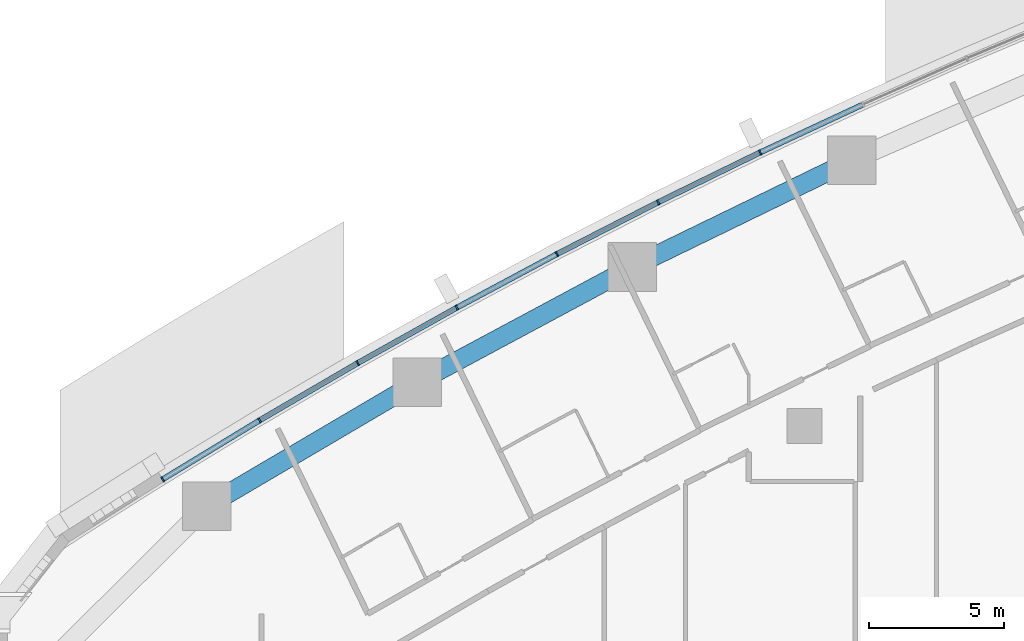
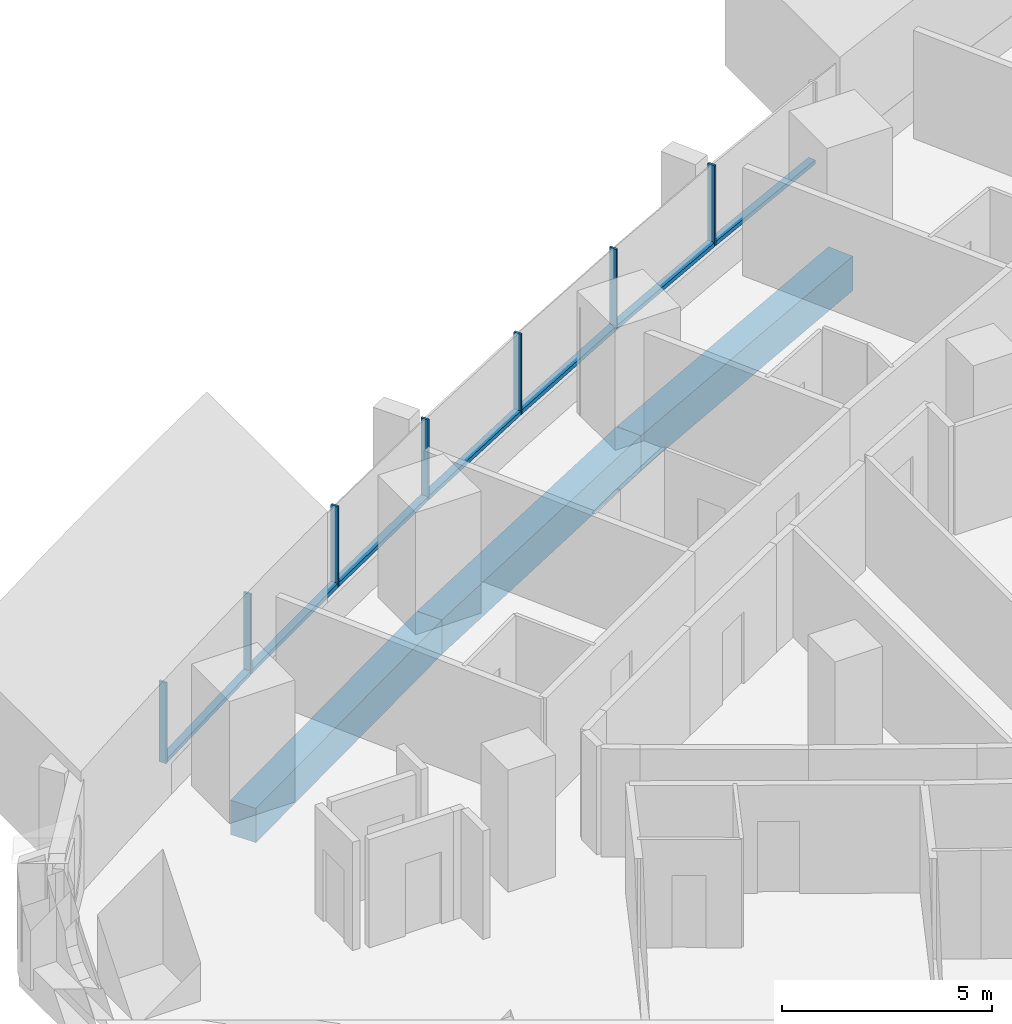
# One storey, part 5 of 19: 14 members, 3 beams, 3 elements without a shape of their own.
"""IFC4 building model written with IfcOpenShell, lengths in metres."""

from ifc_helpers import new_model, si_unit, direction, frame, origin, origin_2d, place, context, subcontext, project, spatial, rectangle, extrude, material, layer, layer_set, material_profile, profile_set, type_object, element, aggregate, save


model = new_model("IFC4")

# Units and contexts
model_context = context("Model", 3, precision=1e-05, world=origin(), true_north=direction((0.0, 1.0)))
body_context = subcontext(model_context, "Body", "Model", "MODEL_VIEW")
ifc_project = project(units=[si_unit("LENGTHUNIT", "METRE"), si_unit("AREAUNIT", "SQUARE_METRE"), si_unit("VOLUMEUNIT", "CUBIC_METRE"), si_unit("PLANEANGLEUNIT", "RADIAN"), si_unit("MASSUNIT", "GRAM", prefix="KILO")], contexts=[model_context])

# Site, building, storey
site_placement = place(None, origin())
site = spatial("IfcSite", under=ifc_project, at=site_placement, CompositionType="ELEMENT")
building_placement = place(site_placement, origin())
building = spatial("IfcBuilding", under=site, at=building_placement, Name="Ostrand Prow Hotel Tower", CompositionType="ELEMENT")
storey_placement = place(building_placement, frame((0.0, 0.0, 71.550048828125)))
storey = spatial("IfcBuildingStorey", under=building, at=storey_placement, Name="L16", CompositionType="ELEMENT", Elevation=71.550048828125)

# Beams
ifc_material_1 = material(Name="Concrete C80/95", Category="concrete")
ifc_material_profile_1 = material_profile(ifc_material_1, rectangle(XDim=0.699951171875, YDim=1.0, at=origin_2d()), Name="RC 700x1000")
ifc_profile_set_1 = profile_set([ifc_material_profile_1], Name="Concrete C80/95")
beam_type = type_object("IfcBeamType", Name="Edge beam 700x1000 C80/95", PredefinedType="SPANDREL", material=ifc_profile_set_1)
beam_1_placement = place(storey_placement, frame((35.7412109375, 18.814208984375, -0.800048828125), z_axis=(-0.899382499202, -0.437162578601, 0.0), x_axis=(0.437162578601, -0.899382499202, 0.0)))
element("IfcBeam", 1, at=beam_1_placement, inside=storey, type_object=beam_type, Name="Edge beam N3-N4", PredefinedType="SPANDREL", context=body_context, shape_type="SweptSolid", body=[
    extrude(rectangle(XDim=0.699951171875, YDim=1.0, at=origin_2d()), origin(), (0.0, 0.0, 1.0), 9.012451171875),
])
beam_2_placement = place(storey_placement, frame((27.635498046875, 14.874267578125, -0.800048828125), z_axis=(-0.881270074696, -0.472613008122, 0.0), x_axis=(0.472613008122, -0.881270074696, 0.0)))
element("IfcBeam", 2, at=beam_2_placement, inside=storey, type_object=beam_type, Name="Edge beam N4-N5", PredefinedType="SPANDREL", context=body_context, shape_type="SweptSolid", body=[
    extrude(rectangle(XDim=0.699951171875, YDim=1.0, at=origin_2d()), origin(), (0.0, 0.0, 1.0), 9.0126953125),
])
beam_3_placement = place(storey_placement, frame((19.69287109375, 10.61474609375, -0.800048828125), z_axis=(-0.861725230108, -0.507375233722, 0.0), x_axis=(0.507375233722, -0.861725230108, 0.0)))
element("IfcBeam", 3, at=beam_3_placement, inside=storey, type_object=beam_type, Name="Edge beam N5-N6", PredefinedType="SPANDREL", context=body_context, shape_type="SweptSolid", body=[
    extrude(rectangle(XDim=0.699951171875, YDim=1.0, at=origin_2d()), origin(), (0.0, 0.0, 1.0), 9.012451171875),
])

# Curtain wall, members
ifc_material_2 = material(Name="Insulated glass in bronze anodised frame", Category="glass")
ifc_layer = layer(ifc_material_2, 0.199951171875)
ifc_layer_set = layer_set([ifc_layer], Name="Insulated glass in bronze anodised frame")
curtain_wall_type = type_object("IfcCurtainWallType", Name="Strip curtain wall, fritted glass over bronze spandrel", PredefinedType="NOTDEFINED", material=ifc_layer_set)
curtain_wall_1_placement = place(storey_placement, origin())
curtain_wall_1 = element("IfcCurtainWall", 4, at=curtain_wall_1_placement, inside=storey, type_object=curtain_wall_type, Name="CW1 run CWN3", PredefinedType="NOTDEFINED")
ifc_material_3 = material(Name="Bronze anodised aluminium", Category="aluminium")
ifc_material_profile_2 = material_profile(ifc_material_3, rectangle(XDim=0.199951171875, YDim=0.06005859375, at=origin_2d()), Name="Mullion 60x200 bronze anodised aluminium")
ifc_profile_set_2 = profile_set([ifc_material_profile_2], Name="Bronze anodised aluminium")
member_type_1 = type_object("IfcMemberType", Name="Mullion 60x200 bronze anodised aluminium", PredefinedType="MULLION", material=ifc_profile_set_2)
member_1_placement = place(storey_placement, frame((32.360595703125, 19.10498046875, 0.89990234375), z_axis=(0.0, 0.0, 1.0), x_axis=(0.439138077204, -0.898419584131, 0.0)))
member_1 = element("IfcMember", 5, at=member_1_placement, type_object=member_type_1, Name="CW1 mullion 2", PredefinedType="MULLION", context=body_context, shape_type="SweptSolid", body=[
    extrude(rectangle(XDim=0.199951171875, YDim=0.06005859375, at=origin_2d()), origin(), (0.0, 0.0, 1.0), 2.35009765625),
])
member_2_placement = place(storey_placement, frame((28.59228515625, 17.262939453125, 0.89990234375), z_axis=(0.0, 0.0, 1.0), x_axis=(0.439138077204, -0.898419584131, 0.0)))
member_2 = element("IfcMember", 6, at=member_2_placement, type_object=member_type_1, Name="CW1 mullion 3", PredefinedType="MULLION", context=body_context, shape_type="SweptSolid", body=[
    extrude(rectangle(XDim=0.199951171875, YDim=0.06005859375, at=origin_2d()), origin(), (0.0, 0.0, 1.0), 2.35009765625),
])

curtain_wall_2_placement = place(storey_placement, origin())
curtain_wall_2 = element("IfcCurtainWall", 7, at=curtain_wall_2_placement, inside=storey, type_object=curtain_wall_type, Name="CW1 run CWN4", PredefinedType="NOTDEFINED")
member_3_placement = place(storey_placement, frame((24.858642578125, 15.35205078125, 0.89990234375), z_axis=(0.0, 0.0, 1.0), x_axis=(0.471899992481, -0.881652083929, 0.0)))
member_3 = element("IfcMember", 8, at=member_3_placement, type_object=member_type_1, Name="CW1 mullion 2", PredefinedType="MULLION", context=body_context, shape_type="SweptSolid", body=[
    extrude(rectangle(XDim=0.199951171875, YDim=0.06005859375, at=origin_2d()), origin(), (0.0, 0.0, 1.0), 2.35009765625),
])
member_4_placement = place(storey_placement, frame((21.160888671875, 13.372802734375, 0.89990234375), z_axis=(0.0, 0.0, 1.0), x_axis=(0.488043996167, -0.872819029241, 0.0)))
member_4 = element("IfcMember", 9, at=member_4_placement, type_object=member_type_1, Name="CW1 mullion 3", PredefinedType="MULLION", context=body_context, shape_type="SweptSolid", body=[
    extrude(rectangle(XDim=0.199951171875, YDim=0.06005859375, at=origin_2d()), origin(), (0.0, 0.0, 1.0), 2.35009765625),
])
member_5_placement = place(storey_placement, frame((17.5, 11.325927734375, 0.89990234375), z_axis=(0.0, 0.0, 1.0), x_axis=(0.488043996167, -0.872819029241, 0.0)))
member_5 = element("IfcMember", 10, at=member_5_placement, type_object=member_type_1, Name="CW1 mullion 4", PredefinedType="MULLION", context=body_context, shape_type="SweptSolid", body=[
    extrude(rectangle(XDim=0.199951171875, YDim=0.06005859375, at=origin_2d()), origin(), (0.0, 0.0, 1.0), 2.35009765625),
])

curtain_wall_3_placement = place(storey_placement, origin())
curtain_wall_3 = element("IfcCurtainWall", 11, at=curtain_wall_3_placement, inside=storey, type_object=curtain_wall_type, Name="CW1 run CWN5", PredefinedType="NOTDEFINED")
member_6_placement = place(storey_placement, frame((13.87744140625, 9.2119140625, 0.89990234375), z_axis=(0.0, 0.0, 1.0), x_axis=(0.519830761515, -0.854269266322, 0.0)))
member_6 = element("IfcMember", 12, at=member_6_placement, type_object=member_type_1, Name="CW1 mullion 2", PredefinedType="MULLION", context=body_context, shape_type="SweptSolid", body=[
    extrude(rectangle(XDim=0.199951171875, YDim=0.06005859375, at=origin_2d()), origin(), (0.0, 0.0, 1.0), 2.35009765625),
])
member_7_placement = place(storey_placement, frame((10.29443359375, 7.031494140625, 0.89990234375), z_axis=(0.0, 0.0, 1.0), x_axis=(0.519830761515, -0.854269266322, 0.0)))
member_7 = element("IfcMember", 13, at=member_7_placement, type_object=member_type_1, Name="CW1 mullion 3", PredefinedType="MULLION", context=body_context, shape_type="SweptSolid", body=[
    extrude(rectangle(XDim=0.199951171875, YDim=0.06005859375, at=origin_2d()), origin(), (0.0, 0.0, 1.0), 2.35009765625),
])

# Member
ifc_material_4 = material(Name="Bronze anodised aluminium", Category="aluminium")
ifc_material_profile_3 = material_profile(ifc_material_4, rectangle(XDim=0.199951171875, YDim=0.1201171875, at=origin_2d()), Name="Transom 120x200 bronze anodised aluminium")
ifc_profile_set_3 = profile_set([ifc_material_profile_3], Name="Bronze anodised aluminium")
member_type_2 = type_object("IfcMemberType", Name="Transom 120x200 bronze anodised aluminium", PredefinedType="USERDEFINED", material=ifc_profile_set_3)
member_8_placement = place(storey_placement, frame((36.135009765625, 20.864501953125, 0.9599609375), z_axis=(-0.906338458793, -0.422552479714, 0.0), x_axis=(0.422552479714, -0.906338458793, 0.0)))
member_8 = element("IfcMember", 14, at=member_8_placement, type_object=member_type_2, Name="CW1 transom 1.1", ObjectType="TRANSOM", PredefinedType="USERDEFINED", context=body_context, shape_type="SweptSolid", body=[
    extrude(rectangle(XDim=0.199951171875, YDim=0.1201171875, at=origin_2d()), origin(), (0.0, 0.0, 1.0), 4.134521484375),
])

member_9_placement = place(storey_placement, frame((32.33349609375, 19.091796875, 0.9599609375), z_axis=(-0.898395234758, -0.439187889364, 0.0), x_axis=(0.439187889364, -0.898395234758, 0.0)))
member_9 = element("IfcMember", 15, at=member_9_placement, type_object=member_type_2, Name="CW1 transom 2.1", ObjectType="TRANSOM", PredefinedType="USERDEFINED", context=body_context, shape_type="SweptSolid", body=[
    extrude(rectangle(XDim=0.199951171875, YDim=0.1201171875, at=origin_2d()), origin(), (0.0, 0.0, 1.0), 4.13427734375),
])

aggregate(curtain_wall_1, [member_1, member_2, member_8, member_9])

member_10_placement = place(storey_placement, frame((28.565673828125, 17.249267578125, 0.9599609375), z_axis=(-0.890182999343, -0.455603147136, 0.0), x_axis=(0.455603147136, -0.890182999343, 0.0)))
member_10 = element("IfcMember", 16, at=member_10_placement, type_object=member_type_2, Name="CW1 transom 1.1", ObjectType="TRANSOM", PredefinedType="USERDEFINED", context=body_context, shape_type="SweptSolid", body=[
    extrude(rectangle(XDim=0.199951171875, YDim=0.1201171875, at=origin_2d()), origin(), (0.0, 0.0, 1.0), 4.13427734375),
])

member_11_placement = place(storey_placement, frame((24.832275390625, 15.337890625, 0.9599609375), z_axis=(-0.881657241639, -0.471890356191, 0.0), x_axis=(0.471890356191, -0.881657241639, 0.0)))
member_11 = element("IfcMember", 17, at=member_11_placement, type_object=member_type_2, Name="CW1 transom 2.1", ObjectType="TRANSOM", PredefinedType="USERDEFINED", context=body_context, shape_type="SweptSolid", body=[
    extrude(rectangle(XDim=0.199951171875, YDim=0.1201171875, at=origin_2d()), origin(), (0.0, 0.0, 1.0), 4.13427734375),
])

member_12_placement = place(storey_placement, frame((21.134765625, 13.358154296875, 0.9599609375), z_axis=(-0.872842137405, -0.488002667175, 0.0), x_axis=(0.488002667175, -0.872842137405, 0.0)))
member_12 = element("IfcMember", 18, at=member_12_placement, type_object=member_type_2, Name="CW1 transom 3.1", ObjectType="TRANSOM", PredefinedType="USERDEFINED", context=body_context, shape_type="SweptSolid", body=[
    extrude(rectangle(XDim=0.199951171875, YDim=0.1201171875, at=origin_2d()), origin(), (0.0, 0.0, 1.0), 4.13427734375),
])

aggregate(curtain_wall_2, [member_3, member_4, member_5, member_10, member_11, member_12])

member_13_placement = place(storey_placement, frame((17.47412109375, 11.310791015625, 0.9599609375), z_axis=(-0.863697501622, -0.504010541251, 0.0), x_axis=(0.504010541251, -0.863697501622, 0.0)))
member_13 = element("IfcMember", 19, at=member_13_placement, type_object=member_type_2, Name="CW1 transom 1.1", ObjectType="TRANSOM", PredefinedType="USERDEFINED", context=body_context, shape_type="SweptSolid", body=[
    extrude(rectangle(XDim=0.199951171875, YDim=0.1201171875, at=origin_2d()), origin(), (0.0, 0.0, 1.0), 4.13427734375),
])

member_14_placement = place(storey_placement, frame((13.851806640625, 9.1962890625, 0.9599609375), z_axis=(-0.8542612678, -0.519843905741, 0.0), x_axis=(0.519843905741, -0.8542612678, 0.0)))
member_14 = element("IfcMember", 20, at=member_14_placement, type_object=member_type_2, Name="CW1 transom 2.1", ObjectType="TRANSOM", PredefinedType="USERDEFINED", context=body_context, shape_type="SweptSolid", body=[
    extrude(rectangle(XDim=0.199951171875, YDim=0.1201171875, at=origin_2d()), origin(), (0.0, 0.0, 1.0), 4.13427734375),
])

aggregate(curtain_wall_3, [member_6, member_7, member_13, member_14])

save(model, "model.ifc")
